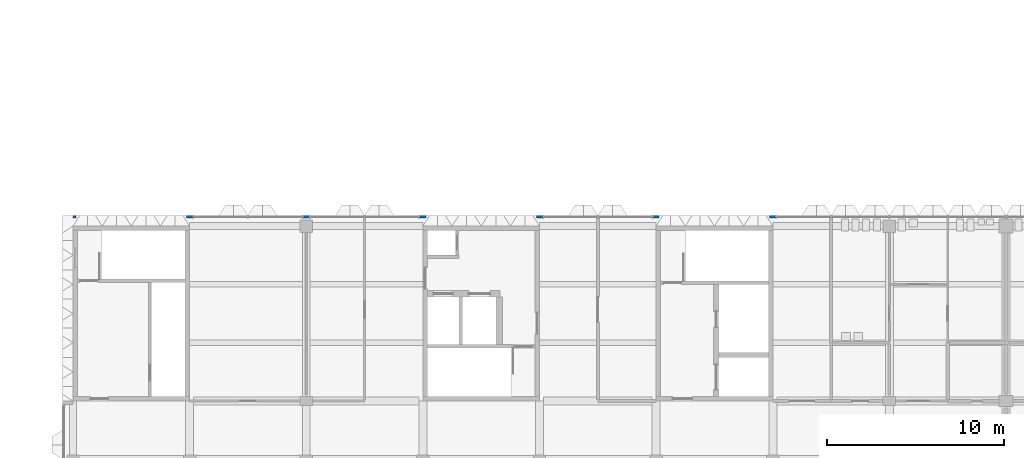
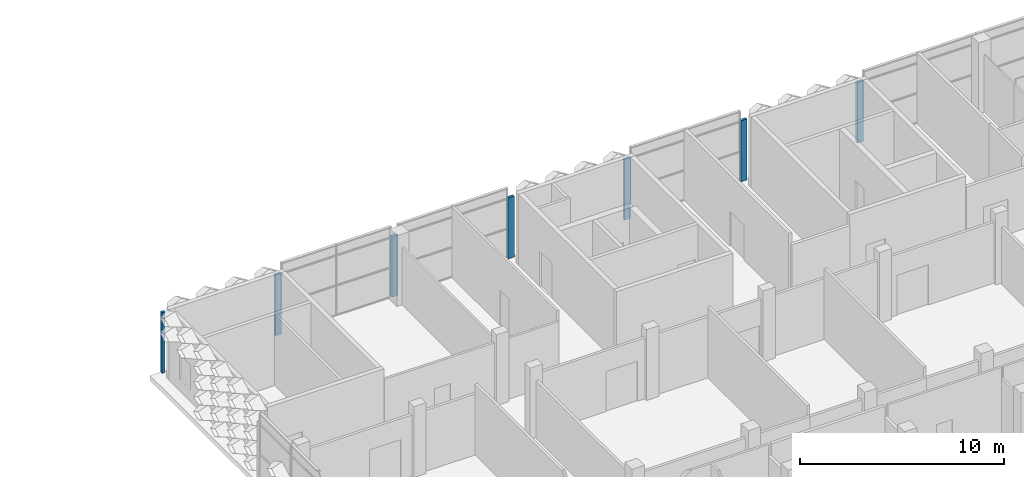
# One storey, part 23 of 61: 7 walls.
"""IFC4 building model written with IfcOpenShell, lengths in metres."""

from ifc_helpers import new_model, si_unit, direction, frame, frame_2d, origin, place, context, subcontext, project, spatial, rectangle, extrude, material, layer, layer_set, type_object, element, save


model = new_model("IFC4")

# Units and contexts
model_context = context("Model", 3, precision=1e-05, world=origin(), true_north=direction((0.0, 1.0)))
body_context = subcontext(model_context, "Body", "Model", "MODEL_VIEW")
ifc_project = project(units=[si_unit("LENGTHUNIT", "METRE"), si_unit("AREAUNIT", "SQUARE_METRE"), si_unit("VOLUMEUNIT", "CUBIC_METRE"), si_unit("PLANEANGLEUNIT", "RADIAN"), si_unit("MASSUNIT", "GRAM", prefix="KILO")], contexts=[model_context])

# Site, building, storey
site_placement = place(None, origin())
site = spatial("IfcSite", under=ifc_project, at=site_placement, CompositionType="ELEMENT")
building_placement = place(site_placement, origin())
building = spatial("IfcBuilding", under=site, at=building_placement, Name="Lantern Court Research Institute", CompositionType="ELEMENT")
storey_placement = place(building_placement, frame((0.0, 0.0, 23.39990234375)))
storey = spatial("IfcBuildingStorey", under=building, at=storey_placement, Name="L05", CompositionType="ELEMENT", Elevation=23.39990234375)

# Walls
ifc_material = material(Name="Aluminium alloy 6063-T6", Category="aluminium")
ifc_layer = layer(ifc_material, 0.14990234375)
ifc_layer_set = layer_set([ifc_layer], Name="Aluminium alloy 6063-T6")
wall_type = type_object("IfcWallType", Name="Entrance screen wall 150 aluminium", PredefinedType="STANDARD", material=ifc_layer_set)
wall_1_placement = place(storey_placement, frame((0.0, 23.625, 0.0), z_axis=(0.0, 0.0, 1.0), x_axis=(1.0, 0.0, 0.0)))
element("IfcWall", 1, at=wall_1_placement, inside=storey, type_object=wall_type, Name="Exterior wall EW230", PredefinedType="STANDARD", context=body_context, shape_type="SweptSolid", body=[
    extrude(rectangle(XDim=0.175048828125, YDim=0.14990234375, at=frame_2d((0.08740234375, 0.0))), origin(), (0.0, 0.0, 1.0), 3.650146484375),
])
wall_2_placement = place(storey_placement, frame((6.425048828125, 23.625, 0.0), z_axis=(0.0, 0.0, 1.0), x_axis=(1.0, 0.0, 0.0)))
element("IfcWall", 2, at=wall_2_placement, inside=storey, type_object=wall_type, Name="Exterior wall EW231", PredefinedType="STANDARD", context=body_context, shape_type="SweptSolid", body=[
    extrude(rectangle(XDim=0.349853515625, YDim=0.14990234375, at=frame_2d((0.1748046875, 0.0))), origin(), (0.0, 0.0, 1.0), 3.650146484375),
])
for number, where, z_axis, x_axis, name in (
    (3, (13.02490234375, 23.625, 0.0), (0.0, 0.0, 1.0), (1.0, 0.0, 0.0), "Exterior wall EW232"),
    (4, (19.625, 23.625, 0.0), (0.0, 0.0, 1.0), (1.0, 0.0, 0.0), "Exterior wall EW233"),
):
    element("IfcWall", number, at=place(storey_placement, frame(where, z_axis=z_axis, x_axis=x_axis)), inside=storey, type_object=wall_type, Name=name, PredefinedType="STANDARD", context=body_context, shape_type="SweptSolid", body=[
        extrude(rectangle(XDim=0.35009765625, YDim=0.14990234375, at=frame_2d((0.175048828125, 0.0))), origin(), (0.0, 0.0, 1.0), 3.650146484375),
    ])
wall_3_placement = place(storey_placement, frame((26.22509765625, 23.625, 0.0), z_axis=(0.0, 0.0, 1.0), x_axis=(1.0, 0.0, 0.0)))
element("IfcWall", 5, at=wall_3_placement, inside=storey, type_object=wall_type, Name="Exterior wall EW234", PredefinedType="STANDARD", context=body_context, shape_type="SweptSolid", body=[
    extrude(rectangle(XDim=0.349853515625, YDim=0.14990234375, at=frame_2d((0.1748046875, 0.0))), origin(), (0.0, 0.0, 1.0), 3.650146484375),
])
wall_4_placement = place(storey_placement, frame((32.824951171875, 23.625, 0.0), z_axis=(0.0, 0.0, 1.0), x_axis=(1.0, 0.0, 0.0)))
element("IfcWall", 6, at=wall_4_placement, inside=storey, type_object=wall_type, Name="Exterior wall EW235", PredefinedType="STANDARD", context=body_context, shape_type="SweptSolid", body=[
    extrude(rectangle(XDim=0.35009765625, YDim=0.14990234375, at=frame_2d((0.175048828125, 0.0))), origin(), (0.0, 0.0, 1.0), 3.650146484375),
])
wall_5_placement = place(storey_placement, frame((39.425048828125, 23.625, 0.0), z_axis=(0.0, 0.0, 1.0), x_axis=(1.0, 0.0, 0.0)))
element("IfcWall", 7, at=wall_5_placement, inside=storey, type_object=wall_type, Name="Exterior wall EW236", PredefinedType="STANDARD", context=body_context, shape_type="SweptSolid", body=[
    extrude(rectangle(XDim=0.349853515625, YDim=0.14990234375, at=frame_2d((0.1748046875, 0.0))), origin(), (0.0, 0.0, 1.0), 3.650146484375),
])

save(model, "model.ifc")
